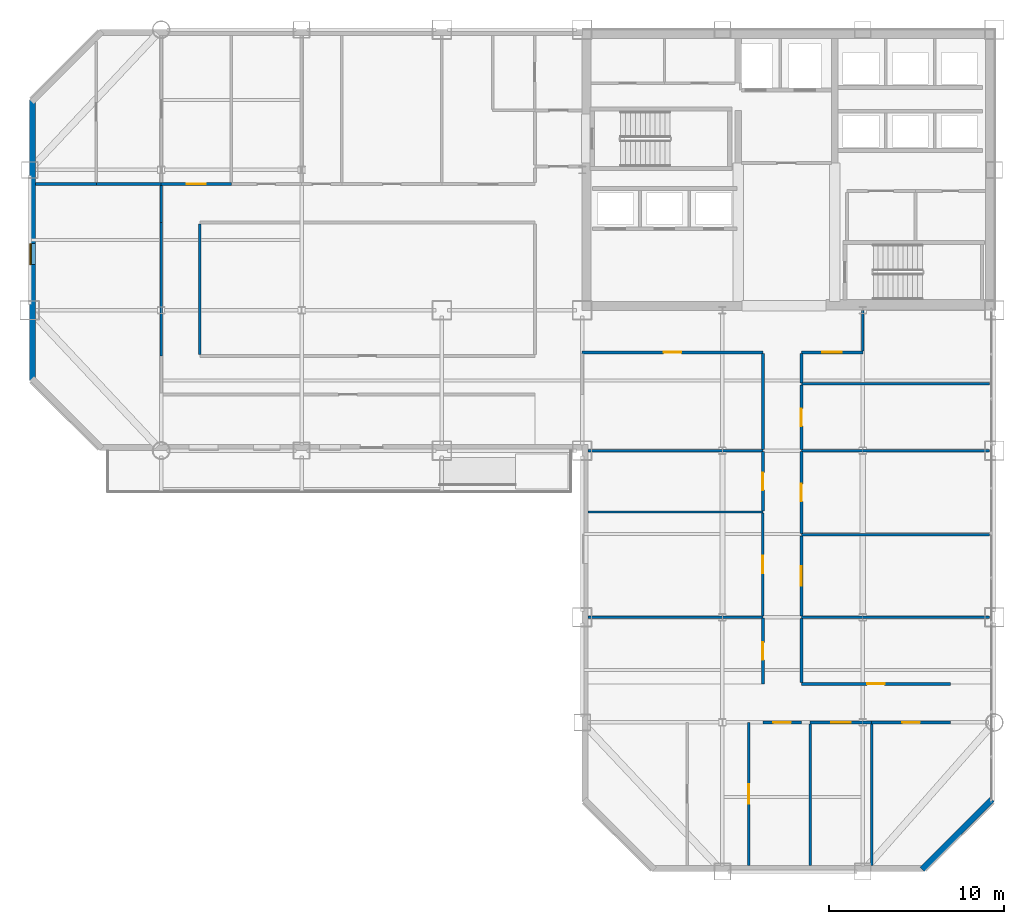
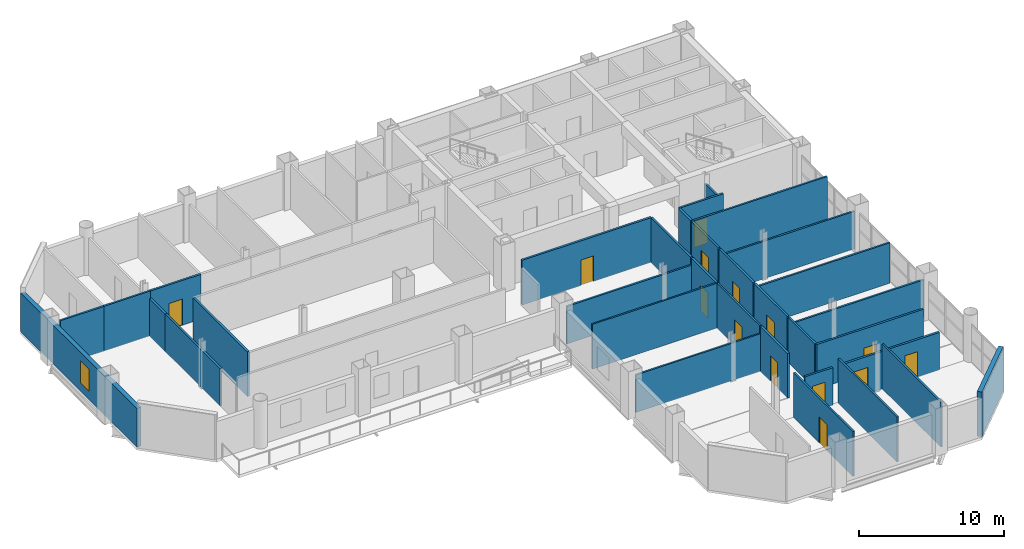
# One storey, part 12 of 16: 34 walls, 14 doors, 1 window, 15 openings.
"""IFC4 building model written with IfcOpenShell, lengths in metres."""

from ifc_helpers import new_model, si_unit, direction, frame, frame_2d, origin, place, context, subcontext, project, spatial, rectangle, extrude, material, layer, layer_set, type_object, element, fill, save


model = new_model("IFC4")

# Units and contexts
model_context = context("Model", 3, precision=1e-05, world=origin(), true_north=direction((0.0, 1.0)))
body_context = subcontext(model_context, "Body", "Model", "MODEL_VIEW")
ifc_project = project(units=[si_unit("LENGTHUNIT", "METRE"), si_unit("AREAUNIT", "SQUARE_METRE"), si_unit("VOLUMEUNIT", "CUBIC_METRE"), si_unit("PLANEANGLEUNIT", "RADIAN"), si_unit("MASSUNIT", "GRAM", prefix="KILO")], contexts=[model_context])

# Site, building, storey
site_placement = place(None, origin())
site = spatial("IfcSite", under=ifc_project, at=site_placement, CompositionType="ELEMENT")
building_placement = place(site_placement, origin())
building = spatial("IfcBuilding", under=site, at=building_placement, Name="Qianrong Seaharbour Tower", CompositionType="ELEMENT")
storey_placement = place(building_placement, frame((0.0, 0.0, 119.0)))
storey = spatial("IfcBuildingStorey", under=building, at=storey_placement, Name="L28", CompositionType="ELEMENT", Elevation=119.0)

# Wall
ifc_material_1 = material(Name="Fire-rated acoustic gypsum board partition")
ifc_layer_1 = layer(ifc_material_1, 0.1650390625)
ifc_layer_set_1 = layer_set([ifc_layer_1], Name="Fire-rated acoustic gypsum board partition")
wall_type_1 = type_object("IfcWallType", Name="WALL-CORR-PART-165", PredefinedType="PARTITIONING", material=ifc_layer_set_1)
wall_1_placement = place(storey_placement, frame((16.5, 41.0, 0.0), z_axis=(0.0, 0.0, 1.0), x_axis=(0.0, 1.0, 0.0)))
element("IfcWall", 1, at=wall_1_placement, inside=storey, type_object=wall_type_1, Name="L28 Interior Partition Wall 018", PredefinedType="PARTITIONING", context=body_context, shape_type="SweptSolid", body=[
    extrude(rectangle(XDim=2.12548828125, YDim=0.1650390625, at=frame_2d((1.062744140625, 0.0))), origin(), (0.0, 0.0, 1.0), 3.156982421875),
])

# Wall, opening, door
wall_2_placement = place(storey_placement, frame((16.5, 43.199951171875, 0.0), z_axis=(0.0, 0.0, 1.0), x_axis=(1.0, 0.0, 0.0)))
wall_2 = element("IfcWall", 2, at=wall_2_placement, inside=storey, type_object=wall_type_1, Name="L28 Interior Partition Wall 020", PredefinedType="PARTITIONING", context=body_context, shape_type="SweptSolid", body=[
    extrude(rectangle(XDim=4.0, YDim=0.1650390625, at=frame_2d((2.0, 0.0))), origin(), (0.0, 0.0, 1.0), 3.764892578125),
])
opening_1_placement = place(wall_2_placement, frame((1.449951171875, 0.0, 0.0)))
opening_1 = element("IfcOpeningElement", 3, at=opening_1_placement, cuts=wall_2, Name="Opening DM-01", PredefinedType="OPENING", context=body_context, shape_type="SweptSolid", body=[
    extrude(rectangle(XDim=1.10009765625, YDim=2.199951171875, at=frame_2d((0.550048828125, 1.10009765625))), frame((0.0, 0.092529296875, 0.0), z_axis=(0.0, -1.0, 0.0), x_axis=(1.0, 0.0, 0.0)), (0.0, 0.0, 1.0), 0.18505859375),
])
ifc_material_2 = material(Name="Acoustic timber and galvanized steel fire door assembly", Category="steel")
door_type_1 = type_object("IfcDoorType", Name="DOOR-MEET-1100x2200", OperationType="NOTDEFINED", PredefinedType="DOOR", material=ifc_material_2)
door_1_placement = place(opening_1_placement, origin())
door_1 = element("IfcDoor", 4, at=door_1_placement, inside=storey, type_object=door_type_1, Name="L28 Meeting Room 3 Door", OperationType="SINGLE_SWING_LEFT", OverallHeight=2.199951171875, OverallWidth=1.10009765625, PredefinedType="DOOR", context=body_context, shape_type="SweptSolid", body=[
    extrude(rectangle(XDim=1.10009765625, YDim=2.199951171875, at=frame_2d((0.550048828125, 1.10009765625))), frame((0.0, 0.02490234375, 0.0), z_axis=(0.0, -1.0, 0.0), x_axis=(1.0, 0.0, 0.0)), (0.0, 0.0, 1.0), 0.050048828125),
])
fill(opening_1, door_1)

# Walls
wall_3_placement = place(storey_placement, frame((16.5, 33.39990234375, 0.0), z_axis=(0.0, 0.0, 1.0), x_axis=(0.0, 1.0, 0.0)))
element("IfcWall", 5, at=wall_3_placement, inside=storey, type_object=wall_type_1, Name="L28 Interior Partition Wall 025", PredefinedType="PARTITIONING", context=body_context, shape_type="SweptSolid", body=[
    extrude(rectangle(XDim=7.60009765625, YDim=0.1650390625, at=frame_2d((3.800048828125, 0.0))), origin(), (0.0, 0.0, 1.0), 3.156982421875),
])
wall_4_placement = place(storey_placement, frame((18.699951171875, 40.925537109375, 0.0), z_axis=(0.0, 0.0, 1.0), x_axis=(0.0, -1.0, 0.0)))
element("IfcWall", 6, at=wall_4_placement, inside=storey, type_object=wall_type_1, Name="L28 Interior Partition Wall 026", PredefinedType="PARTITIONING", context=body_context, shape_type="SweptSolid", body=[
    extrude(rectangle(XDim=7.450927734375, YDim=0.1650390625, at=frame_2d((3.7255859375, 0.0))), origin(), (0.0, 0.0, 1.0), 3.764892578125),
])
wall_5_placement = place(storey_placement, frame((56.5, 36.0, 0.0), z_axis=(0.0, 0.0, 1.0), x_axis=(0.0, -1.0, 0.0)))
element("IfcWall", 7, at=wall_5_placement, inside=storey, type_object=wall_type_1, Name="L28 Interior Partition Wall 030", PredefinedType="PARTITIONING", context=body_context, shape_type="SweptSolid", body=[
    extrude(rectangle(XDim=2.325439453125, YDim=0.1650390625, at=frame_2d((1.16259765625, 0.0))), origin(), (0.0, 0.0, 1.0), 3.156982421875),
])

# Wall, opening, door
wall_6_placement = place(storey_placement, frame((56.5, 33.60009765625, 0.0), z_axis=(0.0, 0.0, 1.0), x_axis=(-1.0, 0.0, 0.0)))
wall_6 = element("IfcWall", 8, at=wall_6_placement, inside=storey, type_object=wall_type_1, Name="L28 Interior Partition Wall 031", PredefinedType="PARTITIONING", context=body_context, shape_type="SweptSolid", body=[
    extrude(rectangle(XDim=3.5, YDim=0.1650390625, at=frame_2d((1.75, 0.0))), origin(), (0.0, 0.0, 1.0), 3.764892578125),
])
opening_2_placement = place(wall_6_placement, frame((1.199951171875, 0.0, 0.0)))
opening_2 = element("IfcOpeningElement", 9, at=opening_2_placement, cuts=wall_6, Name="Opening DM-01", PredefinedType="OPENING", context=body_context, shape_type="SweptSolid", body=[
    extrude(rectangle(XDim=1.10009765625, YDim=2.199951171875, at=frame_2d((0.550048828125, 1.10009765625))), frame((0.0, 0.092529296875, 0.0), z_axis=(0.0, -1.0, 0.0), x_axis=(1.0, 0.0, 0.0)), (0.0, 0.0, 1.0), 0.18505859375),
])
door_2_placement = place(opening_2_placement, origin())
door_2 = element("IfcDoor", 10, at=door_2_placement, inside=storey, type_object=door_type_1, Name="L28 Boardroom 5 Door", OperationType="SINGLE_SWING_RIGHT", OverallHeight=2.199951171875, OverallWidth=1.10009765625, PredefinedType="DOOR", context=body_context, shape_type="SweptSolid", body=[
    extrude(rectangle(XDim=1.10009765625, YDim=2.199951171875, at=frame_2d((0.550048828125, 1.10009765625))), frame((0.0, 0.02490234375, 0.0), z_axis=(0.0, -1.0, 0.0), x_axis=(1.0, 0.0, 0.0)), (0.0, 0.0, 1.0), 0.050048828125),
])
fill(opening_2, door_2)

wall_7_placement = place(storey_placement, frame((50.800048828125, 33.60009765625, 0.0), z_axis=(0.0, 0.0, 1.0), x_axis=(-1.0, 0.0, 0.0)))
wall_7 = element("IfcWall", 11, at=wall_7_placement, inside=storey, type_object=wall_type_1, Name="L28 Interior Partition Wall 032", PredefinedType="PARTITIONING", context=body_context, shape_type="SweptSolid", body=[
    extrude(rectangle(XDim=10.300048828125, YDim=0.1650390625, at=frame_2d((5.14990234375, 0.0))), origin(), (0.0, 0.0, 1.0), 3.764892578125),
])
opening_3_placement = place(wall_7_placement, frame((4.64990234375, 0.0, 0.0)))
opening_3 = element("IfcOpeningElement", 12, at=opening_3_placement, cuts=wall_7, Name="Opening DO-01", PredefinedType="OPENING", context=body_context, shape_type="SweptSolid", body=[
    extrude(rectangle(XDim=1.0, YDim=2.14990234375, at=frame_2d((0.5, 1.074951171875))), frame((0.0, 0.092529296875, 0.0), z_axis=(0.0, -1.0, 0.0), x_axis=(1.0, 0.0, 0.0)), (0.0, 0.0, 1.0), 0.18505859375),
])
door_type_2 = type_object("IfcDoorType", Name="DOOR-OFFICE-1000x2150", OperationType="NOTDEFINED", PredefinedType="DOOR", material=ifc_material_2)
door_3_placement = place(opening_3_placement, origin())
door_3 = element("IfcDoor", 13, at=door_3_placement, inside=storey, type_object=door_type_2, Name="L28 Executive Office 4 Door", OperationType="SINGLE_SWING_RIGHT", OverallHeight=2.14990234375, OverallWidth=1.0, PredefinedType="DOOR", context=body_context, shape_type="SweptSolid", body=[
    extrude(rectangle(XDim=1.0, YDim=2.14990234375, at=frame_2d((0.5, 1.074951171875))), frame((0.0, 0.02490234375, 0.0), z_axis=(0.0, -1.0, 0.0), x_axis=(1.0, 0.0, 0.0)), (0.0, 0.0, 1.0), 0.050048828125),
])
fill(opening_3, door_3)

# Wall
wall_8_placement = place(storey_placement, frame((53.0, 18.435546875, 0.0), z_axis=(0.0, 0.0, 1.0), x_axis=(0.0, -1.0, 0.0)))
element("IfcWall", 14, at=wall_8_placement, inside=storey, type_object=wall_type_1, Name="L28 Interior Partition Wall 033", PredefinedType="PARTITIONING", context=body_context, shape_type="SweptSolid", body=[
    extrude(rectangle(XDim=3.6611328125, YDim=0.1650390625, at=frame_2d((1.83056640625, 0.0))), origin(), (0.0, 0.0, 1.0), 3.764892578125),
])

# Wall, opening, door
wall_9_placement = place(storey_placement, frame((53.0, 23.135498046875, 0.0), z_axis=(0.0, 0.0, 1.0), x_axis=(0.0, -1.0, 0.0)))
wall_9 = element("IfcWall", 15, at=wall_9_placement, inside=storey, type_object=wall_type_1, Name="L28 Interior Partition Wall 034", PredefinedType="PARTITIONING", context=body_context, shape_type="SweptSolid", body=[
    extrude(rectangle(XDim=4.571044921875, YDim=0.1650390625, at=frame_2d((2.28564453125, 0.0))), origin(), (0.0, 0.0, 1.0), 3.764892578125),
])
opening_4_placement = place(wall_9_placement, frame((1.735595703125, 0.0, 0.0)))
opening_4 = element("IfcOpeningElement", 16, at=opening_4_placement, cuts=wall_9, Name="Opening DM-01", PredefinedType="OPENING", context=body_context, shape_type="SweptSolid", body=[
    extrude(rectangle(XDim=1.10009765625, YDim=2.199951171875, at=frame_2d((0.550048828125, 1.10009765625))), frame((0.0, 0.092529296875, 0.0), z_axis=(0.0, -1.0, 0.0), x_axis=(1.0, 0.0, 0.0)), (0.0, 0.0, 1.0), 0.18505859375),
])
door_4_placement = place(opening_4_placement, origin())
door_4 = element("IfcDoor", 17, at=door_4_placement, inside=storey, type_object=door_type_1, Name="L28 Boardroom 2 Door", OperationType="SINGLE_SWING_LEFT", OverallHeight=2.199951171875, OverallWidth=1.10009765625, PredefinedType="DOOR", context=body_context, shape_type="SweptSolid", body=[
    extrude(rectangle(XDim=1.10009765625, YDim=2.199951171875, at=frame_2d((0.550048828125, 1.10009765625))), frame((0.0, 0.02490234375, 0.0), z_axis=(0.0, -1.0, 0.0), x_axis=(1.0, 0.0, 0.0)), (0.0, 0.0, 1.0), 0.050048828125),
])
fill(opening_4, door_4)

wall_10_placement = place(storey_placement, frame((53.0, 27.935546875, 0.0), z_axis=(0.0, 0.0, 1.0), x_axis=(0.0, -1.0, 0.0)))
wall_10 = element("IfcWall", 18, at=wall_10_placement, inside=storey, type_object=wall_type_1, Name="L28 Interior Partition Wall 035", PredefinedType="PARTITIONING", context=body_context, shape_type="SweptSolid", body=[
    extrude(rectangle(XDim=4.671142578125, YDim=0.1650390625, at=frame_2d((2.33544921875, 0.0))), origin(), (0.0, 0.0, 1.0), 3.764892578125),
])
opening_5_placement = place(wall_10_placement, frame((1.83544921875, 0.0, 0.0)))
opening_5 = element("IfcOpeningElement", 19, at=opening_5_placement, cuts=wall_10, Name="Opening DO-01", PredefinedType="OPENING", context=body_context, shape_type="SweptSolid", body=[
    extrude(rectangle(XDim=1.0, YDim=2.14990234375, at=frame_2d((0.5, 1.074951171875))), frame((0.0, 0.092529296875, 0.0), z_axis=(0.0, -1.0, 0.0), x_axis=(1.0, 0.0, 0.0)), (0.0, 0.0, 1.0), 0.18505859375),
])
door_5_placement = place(opening_5_placement, origin())
door_5 = element("IfcDoor", 20, at=door_5_placement, inside=storey, type_object=door_type_2, Name="L28 Focus Room 3 Door", OperationType="SINGLE_SWING_RIGHT", OverallHeight=2.14990234375, OverallWidth=1.0, PredefinedType="DOOR", context=body_context, shape_type="SweptSolid", body=[
    extrude(rectangle(XDim=1.0, YDim=2.14990234375, at=frame_2d((0.5, 1.074951171875))), frame((0.0, 0.02490234375, 0.0), z_axis=(0.0, -1.0, 0.0), x_axis=(1.0, 0.0, 0.0)), (0.0, 0.0, 1.0), 0.050048828125),
])
fill(opening_5, door_5)

wall_11_placement = place(storey_placement, frame((53.0, 31.735595703125, 0.0), z_axis=(0.0, 0.0, 1.0), x_axis=(0.0, -1.0, 0.0)))
wall_11 = element("IfcWall", 21, at=wall_11_placement, inside=storey, type_object=wall_type_1, Name="L28 Interior Partition Wall 036", PredefinedType="PARTITIONING", context=body_context, shape_type="SweptSolid", body=[
    extrude(rectangle(XDim=3.671142578125, YDim=0.1650390625, at=frame_2d((1.83544921875, 0.0))), origin(), (0.0, 0.0, 1.0), 3.764892578125),
])
opening_6_placement = place(wall_11_placement, frame((1.33544921875, 0.0, 0.0)))
opening_6 = element("IfcOpeningElement", 22, at=opening_6_placement, cuts=wall_11, Name="Opening DO-01", PredefinedType="OPENING", context=body_context, shape_type="SweptSolid", body=[
    extrude(rectangle(XDim=1.0, YDim=2.14990234375, at=frame_2d((0.5, 1.074951171875))), frame((0.0, 0.092529296875, 0.0), z_axis=(0.0, -1.0, 0.0), x_axis=(1.0, 0.0, 0.0)), (0.0, 0.0, 1.0), 0.18505859375),
])
door_6_placement = place(opening_6_placement, origin())
door_6 = element("IfcDoor", 23, at=door_6_placement, inside=storey, type_object=door_type_2, Name="L28 Executive Office 4 Door", OperationType="SINGLE_SWING_LEFT", OverallHeight=2.14990234375, OverallWidth=1.0, PredefinedType="DOOR", context=body_context, shape_type="SweptSolid", body=[
    extrude(rectangle(XDim=1.0, YDim=2.14990234375, at=frame_2d((0.5, 1.074951171875))), frame((0.0, 0.02490234375, 0.0), z_axis=(0.0, -1.0, 0.0), x_axis=(1.0, 0.0, 0.0)), (0.0, 0.0, 1.0), 0.050048828125),
])
fill(opening_6, door_6)

# Wall
wall_12_placement = place(storey_placement, frame((53.0, 33.525390625, 0.0), z_axis=(0.0, 0.0, 1.0), x_axis=(0.0, -1.0, 0.0)))
element("IfcWall", 24, at=wall_12_placement, inside=storey, type_object=wall_type_1, Name="L28 Interior Partition Wall 037", PredefinedType="PARTITIONING", context=body_context, shape_type="SweptSolid", body=[
    extrude(rectangle(XDim=1.660888671875, YDim=0.1650390625, at=frame_2d((0.83056640625, 0.0))), origin(), (0.0, 0.0, 1.0), 3.764892578125),
])

# Wall, opening, door
wall_13_placement = place(storey_placement, frame((50.800048828125, 14.699951171875, 0.0), z_axis=(0.0, 0.0, 1.0), x_axis=(0.0, 1.0, 0.0)))
wall_13 = element("IfcWall", 25, at=wall_13_placement, inside=storey, type_object=wall_type_1, Name="L28 Interior Partition Wall 038", PredefinedType="PARTITIONING", context=body_context, shape_type="SweptSolid", body=[
    extrude(rectangle(XDim=3.7431640625, YDim=0.1650390625, at=frame_2d((1.87158203125, 0.0))), origin(), (0.0, 0.0, 1.0), 3.764892578125),
])
opening_7_placement = place(wall_13_placement, frame((1.37158203125, 0.0, 0.0)))
opening_7 = element("IfcOpeningElement", 26, at=opening_7_placement, cuts=wall_13, Name="Opening DO-01", PredefinedType="OPENING", context=body_context, shape_type="SweptSolid", body=[
    extrude(rectangle(XDim=1.0, YDim=2.14990234375, at=frame_2d((0.5, 1.074951171875))), frame((0.0, 0.092529296875, 0.0), z_axis=(0.0, -1.0, 0.0), x_axis=(1.0, 0.0, 0.0)), (0.0, 0.0, 1.0), 0.18505859375),
])
door_7_placement = place(opening_7_placement, origin())
door_7 = element("IfcDoor", 27, at=door_7_placement, inside=storey, type_object=door_type_2, Name="L28 Executive Office 1 Door", OperationType="SINGLE_SWING_LEFT", OverallHeight=2.14990234375, OverallWidth=1.0, PredefinedType="DOOR", context=body_context, shape_type="SweptSolid", body=[
    extrude(rectangle(XDim=1.0, YDim=2.14990234375, at=frame_2d((0.5, 1.074951171875))), frame((0.0, 0.02490234375, 0.0), z_axis=(0.0, -1.0, 0.0), x_axis=(1.0, 0.0, 0.0)), (0.0, 0.0, 1.0), 0.050048828125),
])
fill(opening_7, door_7)

wall_14_placement = place(storey_placement, frame((50.800048828125, 24.556884765625, 0.0), z_axis=(0.0, 0.0, 1.0), x_axis=(0.0, 1.0, 0.0)))
wall_14 = element("IfcWall", 28, at=wall_14_placement, inside=storey, type_object=wall_type_1, Name="L28 Interior Partition Wall 040", PredefinedType="PARTITIONING", context=body_context, shape_type="SweptSolid", body=[
    extrude(rectangle(XDim=3.378662109375, YDim=0.1650390625, at=frame_2d((1.689453125, 0.0))), origin(), (0.0, 0.0, 1.0), 3.764892578125),
])
opening_8_placement = place(wall_14_placement, frame((1.189208984375, 0.0, 0.0)))
opening_8 = element("IfcOpeningElement", 29, at=opening_8_placement, cuts=wall_14, Name="Opening DO-01", PredefinedType="OPENING", context=body_context, shape_type="SweptSolid", body=[
    extrude(rectangle(XDim=1.0, YDim=2.14990234375, at=frame_2d((0.5, 1.074951171875))), frame((0.0, 0.092529296875, 0.0), z_axis=(0.0, -1.0, 0.0), x_axis=(1.0, 0.0, 0.0)), (0.0, 0.0, 1.0), 0.18505859375),
])
door_8_placement = place(opening_8_placement, origin())
door_8 = element("IfcDoor", 30, at=door_8_placement, inside=storey, type_object=door_type_2, Name="L28 Focus Room 3 Door", OperationType="SINGLE_SWING_LEFT", OverallHeight=2.14990234375, OverallWidth=1.0, PredefinedType="DOOR", context=body_context, shape_type="SweptSolid", body=[
    extrude(rectangle(XDim=1.0, YDim=2.14990234375, at=frame_2d((0.5, 1.074951171875))), frame((0.0, 0.02490234375, 0.0), z_axis=(0.0, -1.0, 0.0), x_axis=(1.0, 0.0, 0.0)), (0.0, 0.0, 1.0), 0.050048828125),
])
fill(opening_8, door_8)

# Wall
wall_15_placement = place(storey_placement, frame((50.800048828125, 28.064453125, 0.0), z_axis=(0.0, 0.0, 1.0), x_axis=(0.0, 1.0, 0.0)))
element("IfcWall", 31, at=wall_15_placement, inside=storey, type_object=wall_type_1, Name="L28 Interior Partition Wall 041", PredefinedType="PARTITIONING", context=body_context, shape_type="SweptSolid", body=[
    extrude(rectangle(XDim=5.4609375, YDim=0.1650390625, at=frame_2d((2.73046875, 0.0))), origin(), (0.0, 0.0, 1.0), 3.764892578125),
])

# Wall, opening, door
wall_16_placement = place(storey_placement, frame((53.0, 12.5, 0.0), z_axis=(0.0, 0.0, 1.0), x_axis=(-1.0, 0.0, 0.0)))
wall_16 = element("IfcWall", 32, at=wall_16_placement, inside=storey, type_object=wall_type_1, Name="L28 Interior Partition Wall 042", PredefinedType="PARTITIONING", context=body_context, shape_type="SweptSolid", body=[
    extrude(rectangle(XDim=2.199951171875, YDim=0.1650390625, at=frame_2d((1.10009765625, 0.0))), origin(), (0.0, 0.0, 1.0), 3.156982421875),
])
opening_9_placement = place(wall_16_placement, frame((0.60009765625, 0.0, 0.0)))
opening_9 = element("IfcOpeningElement", 33, at=opening_9_placement, cuts=wall_16, Name="Opening DO-01", PredefinedType="OPENING", context=body_context, shape_type="SweptSolid", body=[
    extrude(rectangle(XDim=1.0, YDim=2.14990234375, at=frame_2d((0.5, 1.074951171875))), frame((0.0, 0.092529296875, 0.0), z_axis=(0.0, -1.0, 0.0), x_axis=(1.0, 0.0, 0.0)), (0.0, 0.0, 1.0), 0.18505859375),
])
door_9_placement = place(opening_9_placement, origin())
door_9 = element("IfcDoor", 34, at=door_9_placement, inside=storey, type_object=door_type_2, Name="L28 Executive Office 3 Door", OperationType="SINGLE_SWING_LEFT", OverallHeight=2.14990234375, OverallWidth=1.0, PredefinedType="DOOR", context=body_context, shape_type="SweptSolid", body=[
    extrude(rectangle(XDim=1.0, YDim=2.14990234375, at=frame_2d((0.5, 1.074951171875))), frame((0.0, 0.02490234375, 0.0), z_axis=(0.0, -1.0, 0.0), x_axis=(1.0, 0.0, 0.0)), (0.0, 0.0, 1.0), 0.050048828125),
])
fill(opening_9, door_9)

wall_17_placement = place(storey_placement, frame((53.0, 14.699951171875, 0.0), z_axis=(0.0, 0.0, 1.0), x_axis=(1.0, 0.0, 0.0)))
wall_17 = element("IfcWall", 35, at=wall_17_placement, inside=storey, type_object=wall_type_1, Name="L28 Interior Partition Wall 043", PredefinedType="PARTITIONING", context=body_context, shape_type="SweptSolid", body=[
    extrude(rectangle(XDim=8.5, YDim=0.1650390625, at=frame_2d((4.25, 0.0))), origin(), (0.0, 0.0, 1.0), 3.764892578125),
])
opening_10_placement = place(wall_17_placement, frame((3.75, 0.0, 0.0)))
opening_10 = element("IfcOpeningElement", 36, at=opening_10_placement, cuts=wall_17, Name="Opening DO-01", PredefinedType="OPENING", context=body_context, shape_type="SweptSolid", body=[
    extrude(rectangle(XDim=1.0, YDim=2.14990234375, at=frame_2d((0.5, 1.074951171875))), frame((0.0, 0.092529296875, 0.0), z_axis=(0.0, -1.0, 0.0), x_axis=(1.0, 0.0, 0.0)), (0.0, 0.0, 1.0), 0.18505859375),
])
door_10_placement = place(opening_10_placement, origin())
door_10 = element("IfcDoor", 37, at=door_10_placement, inside=storey, type_object=door_type_2, Name="L28 Executive Office 1 Door", OperationType="SINGLE_SWING_RIGHT", OverallHeight=2.14990234375, OverallWidth=1.0, PredefinedType="DOOR", context=body_context, shape_type="SweptSolid", body=[
    extrude(rectangle(XDim=1.0, YDim=2.14990234375, at=frame_2d((0.5, 1.074951171875))), frame((0.0, 0.02490234375, 0.0), z_axis=(0.0, -1.0, 0.0), x_axis=(1.0, 0.0, 0.0)), (0.0, 0.0, 1.0), 0.050048828125),
])
fill(opening_10, door_10)

wall_18_placement = place(storey_placement, frame((57.0, 12.5, 0.0), z_axis=(0.0, 0.0, 1.0), x_axis=(-1.0, 0.0, 0.0)))
wall_18 = element("IfcWall", 38, at=wall_18_placement, inside=storey, type_object=wall_type_1, Name="L28 Interior Partition Wall 044", PredefinedType="PARTITIONING", context=body_context, shape_type="SweptSolid", body=[
    extrude(rectangle(XDim=3.5, YDim=0.1650390625, at=frame_2d((1.75, 0.0))), origin(), (0.0, 0.0, 1.0), 3.156982421875),
])
opening_11_placement = place(wall_18_placement, frame((1.199951171875, 0.0, 0.0)))
opening_11 = element("IfcOpeningElement", 39, at=opening_11_placement, cuts=wall_18, Name="Opening DM-01", PredefinedType="OPENING", context=body_context, shape_type="SweptSolid", body=[
    extrude(rectangle(XDim=1.10009765625, YDim=2.199951171875, at=frame_2d((0.550048828125, 1.10009765625))), frame((0.0, 0.092529296875, 0.0), z_axis=(0.0, -1.0, 0.0), x_axis=(1.0, 0.0, 0.0)), (0.0, 0.0, 1.0), 0.18505859375),
])
door_11_placement = place(opening_11_placement, origin())
door_11 = element("IfcDoor", 40, at=door_11_placement, inside=storey, type_object=door_type_1, Name="L28 Meeting Room 4 Door", OperationType="SINGLE_SWING_RIGHT", OverallHeight=2.199951171875, OverallWidth=1.10009765625, PredefinedType="DOOR", context=body_context, shape_type="SweptSolid", body=[
    extrude(rectangle(XDim=1.10009765625, YDim=2.199951171875, at=frame_2d((0.550048828125, 1.10009765625))), frame((0.0, 0.02490234375, 0.0), z_axis=(0.0, -1.0, 0.0), x_axis=(1.0, 0.0, 0.0)), (0.0, 0.0, 1.0), 0.050048828125),
])
fill(opening_11, door_11)

wall_19_placement = place(storey_placement, frame((61.5, 12.5, 0.0), z_axis=(0.0, 0.0, 1.0), x_axis=(-1.0, 0.0, 0.0)))
wall_19 = element("IfcWall", 41, at=wall_19_placement, inside=storey, type_object=wall_type_1, Name="L28 Interior Partition Wall 045", PredefinedType="PARTITIONING", context=body_context, shape_type="SweptSolid", body=[
    extrude(rectangle(XDim=4.5, YDim=0.1650390625, at=frame_2d((2.25, 0.0))), origin(), (0.0, 0.0, 1.0), 3.156982421875),
])
opening_12_placement = place(wall_19_placement, frame((1.75, 0.0, 0.0)))
opening_12 = element("IfcOpeningElement", 42, at=opening_12_placement, cuts=wall_19, Name="Opening DO-01", PredefinedType="OPENING", context=body_context, shape_type="SweptSolid", body=[
    extrude(rectangle(XDim=1.0, YDim=2.14990234375, at=frame_2d((0.5, 1.074951171875))), frame((0.0, 0.092529296875, 0.0), z_axis=(0.0, -1.0, 0.0), x_axis=(1.0, 0.0, 0.0)), (0.0, 0.0, 1.0), 0.18505859375),
])
door_12_placement = place(opening_12_placement, origin())
door_12 = element("IfcDoor", 43, at=door_12_placement, inside=storey, type_object=door_type_2, Name="L28 Executive Office 5 Door", OperationType="SINGLE_SWING_LEFT", OverallHeight=2.14990234375, OverallWidth=1.0, PredefinedType="DOOR", context=body_context, shape_type="SweptSolid", body=[
    extrude(rectangle(XDim=1.0, YDim=2.14990234375, at=frame_2d((0.5, 1.074951171875))), frame((0.0, 0.02490234375, 0.0), z_axis=(0.0, -1.0, 0.0), x_axis=(1.0, 0.0, 0.0)), (0.0, 0.0, 1.0), 0.050048828125),
])
fill(opening_12, door_12)

# Wall, opening, window
ifc_material_3 = material(Name="Unitised buff brick on Precast concrete C45/55", Category="masonry")
ifc_layer_2 = layer(ifc_material_3, 0.340087890625)
ifc_layer_set_2 = layer_set([ifc_layer_2], Name="Unitised buff brick on Precast concrete C45/55")
wall_type_2 = type_object("IfcWallType", Name="WALL-EXT-BRICK-BUFF-340", PredefinedType="SOLIDWALL", material=ifc_layer_set_2)
wall_20_placement = place(storey_placement, frame((9.169921875, 32.0, 0.0), z_axis=(0.0, 0.0, 1.0), x_axis=(0.0, 1.0, 0.0)))
wall_20 = element("IfcWall", 44, at=wall_20_placement, inside=storey, type_object=wall_type_2, Name="L28 Exterior Masonry Facade Wall WEST_TIP", PredefinedType="SOLIDWALL", context=body_context, shape_type="SweptSolid", body=[
    extrude(rectangle(XDim=16.0, YDim=0.340087890625, at=frame_2d((8.0, 0.0))), origin(), (0.0, 0.0, 1.0), 3.264892578125),
])
opening_13_placement = place(wall_20_placement, frame((6.60009765625, 0.0, 0.699951171875)))
opening_13 = element("IfcOpeningElement", 45, at=opening_13_placement, cuts=wall_20, Name="Opening WN-01", PredefinedType="OPENING", context=body_context, shape_type="SweptSolid", body=[
    extrude(rectangle(XDim=1.199951171875, YDim=1.85009765625, at=frame_2d((0.60009765625, 0.925048828125))), frame((0.0, 0.18017578125, 0.0), z_axis=(0.0, -1.0, 0.0), x_axis=(1.0, 0.0, 0.0)), (0.0, 0.0, 1.0), 0.360107421875),
])
ifc_material_4 = material(Name="Insulated low-e double glazing in thermally broken aluminium 6063-T6 frame", Category="aluminium")
window_type = type_object("IfcWindowType", Name="WIN-PUNCH-1200x1850", PartitioningType="DOUBLE_PANEL_VERTICAL", PredefinedType="WINDOW", material=ifc_material_4)
window_placement = place(opening_13_placement, origin())
window = element("IfcWindow", 46, at=window_placement, inside=storey, type_object=window_type, Name="L28 Deep-Set Punched Window 03.02", OverallHeight=1.85009765625, OverallWidth=1.199951171875, PartitioningType="DOUBLE_PANEL_VERTICAL", PredefinedType="WINDOW", context=body_context, shape_type="SweptSolid", body=[
    extrude(rectangle(XDim=1.199951171875, YDim=1.85009765625, at=frame_2d((0.60009765625, 0.925048828125))), frame((0.0, 0.150146484375, 0.0), z_axis=(0.0, -1.0, 0.0), x_axis=(1.0, 0.0, 0.0)), (0.0, 0.0, 1.0), 0.06005859375),
])
fill(opening_13, window)

# Walls
wall_21_placement = place(storey_placement, frame((63.8798828125, 8.1201171875, 0.0), z_axis=(0.0, 0.0, 1.0), x_axis=(-0.707106781187, -0.707106781187, 0.0)))
element("IfcWall", 47, at=wall_21_placement, inside=storey, type_object=wall_type_2, Name="L28 Exterior Masonry Facade Wall E07", PredefinedType="SOLIDWALL", context=body_context, shape_type="SweptSolid", body=[
    extrude(rectangle(XDim=5.65673828125, YDim=0.340087890625, at=frame_2d((2.828369140625, 0.0))), origin(), (0.0, 0.0, 1.0), 3.764892578125),
])
ifc_material_5 = material(Name="Acoustic gypsum board stud partition")
ifc_layer_3 = layer(ifc_material_5, 0.14501953125)
ifc_layer_set_3 = layer_set([ifc_layer_3], Name="Acoustic gypsum board stud partition")
wall_type_3 = type_object("IfcWallType", Name="WALL-OFFICE-PART-145", PredefinedType="PARTITIONING", material=ifc_layer_set_3)
wall_22_placement = place(storey_placement, frame((9.33203125, 43.199951171875, 0.0), z_axis=(0.0, 0.0, 1.0), x_axis=(1.0, 0.0, 0.0)))
element("IfcWall", 48, at=wall_22_placement, inside=storey, type_object=wall_type_3, Name="L28 Interior Partition Wall 046", PredefinedType="PARTITIONING", context=body_context, shape_type="SweptSolid", body=[
    extrude(rectangle(XDim=3.468017578125, YDim=0.14501953125, at=frame_2d((1.73388671875, 0.0))), origin(), (0.0, 0.0, 1.0), 3.764892578125),
])
wall_23_placement = place(storey_placement, frame((12.800048828125, 43.199951171875, 0.0), z_axis=(0.0, 0.0, 1.0), x_axis=(1.0, 0.0, 0.0)))
element("IfcWall", 49, at=wall_23_placement, inside=storey, type_object=wall_type_3, Name="L28 Interior Partition Wall 047", PredefinedType="PARTITIONING", context=body_context, shape_type="SweptSolid", body=[
    extrude(rectangle(XDim=3.699951171875, YDim=0.14501953125, at=frame_2d((1.85009765625, 0.0))), origin(), (0.0, 0.0, 1.0), 3.764892578125),
])
wall_24_placement = place(storey_placement, frame((53.0, 18.5, 0.0), z_axis=(0.0, 0.0, 1.0), x_axis=(1.0, 0.0, 0.0)))
element("IfcWall", 50, at=wall_24_placement, inside=storey, type_object=wall_type_3, Name="L28 Interior Partition Wall 054", PredefinedType="PARTITIONING", context=body_context, shape_type="SweptSolid", body=[
    extrude(rectangle(XDim=10.72802734375, YDim=0.14501953125, at=frame_2d((5.364013671875, 0.0))), origin(), (0.0, 0.0, 1.0), 3.156982421875),
])
wall_25_placement = place(storey_placement, frame((53.0, 23.199951171875, 0.0), z_axis=(0.0, 0.0, 1.0), x_axis=(1.0, 0.0, 0.0)))
element("IfcWall", 51, at=wall_25_placement, inside=storey, type_object=wall_type_3, Name="L28 Interior Partition Wall 055", PredefinedType="PARTITIONING", context=body_context, shape_type="SweptSolid", body=[
    extrude(rectangle(XDim=10.72802734375, YDim=0.14501953125, at=frame_2d((5.364013671875, 0.0))), origin(), (0.0, 0.0, 1.0), 3.406982421875),
])
wall_26_placement = place(storey_placement, frame((53.0, 28.0, 0.0), z_axis=(0.0, 0.0, 1.0), x_axis=(1.0, 0.0, 0.0)))
element("IfcWall", 52, at=wall_26_placement, inside=storey, type_object=wall_type_3, Name="L28 Interior Partition Wall 056", PredefinedType="PARTITIONING", context=body_context, shape_type="SweptSolid", body=[
    extrude(rectangle(XDim=10.72802734375, YDim=0.14501953125, at=frame_2d((5.364013671875, 0.0))), origin(), (0.0, 0.0, 1.0), 3.156982421875),
])
wall_27_placement = place(storey_placement, frame((53.0, 31.800048828125, 0.0), z_axis=(0.0, 0.0, 1.0), x_axis=(1.0, 0.0, 0.0)))
element("IfcWall", 53, at=wall_27_placement, inside=storey, type_object=wall_type_3, Name="L28 Interior Partition Wall 057", PredefinedType="PARTITIONING", context=body_context, shape_type="SweptSolid", body=[
    extrude(rectangle(XDim=10.72802734375, YDim=0.14501953125, at=frame_2d((5.364013671875, 0.0))), origin(), (0.0, 0.0, 1.0), 3.764892578125),
])
wall_28_placement = place(storey_placement, frame((40.83203125, 28.0, 0.0), z_axis=(0.0, 0.0, 1.0), x_axis=(1.0, 0.0, 0.0)))
element("IfcWall", 54, at=wall_28_placement, inside=storey, type_object=wall_type_3, Name="L28 Interior Partition Wall 060", PredefinedType="PARTITIONING", context=body_context, shape_type="SweptSolid", body=[
    extrude(rectangle(XDim=9.968017578125, YDim=0.14501953125, at=frame_2d((4.98388671875, 0.0))), origin(), (0.0, 0.0, 1.0), 3.156982421875),
])

# Wall, opening, door
wall_29_placement = place(storey_placement, frame((50.0, 12.5, 0.0), z_axis=(0.0, 0.0, 1.0), x_axis=(0.0, -1.0, 0.0)))
wall_29 = element("IfcWall", 55, at=wall_29_placement, inside=storey, type_object=wall_type_3, Name="L28 Interior Partition Wall 062", PredefinedType="PARTITIONING", context=body_context, shape_type="SweptSolid", body=[
    extrude(rectangle(XDim=8.16796875, YDim=0.14501953125, at=frame_2d((4.083984375, 0.0))), origin(), (0.0, 0.0, 1.0), 3.764892578125),
])
opening_14_placement = place(wall_29_placement, frame((3.533935546875, 0.0, 0.0)))
opening_14 = element("IfcOpeningElement", 56, at=opening_14_placement, cuts=wall_29, Name="Opening DM-01", PredefinedType="OPENING", context=body_context, shape_type="SweptSolid", body=[
    extrude(rectangle(XDim=1.10009765625, YDim=2.199951171875, at=frame_2d((0.550048828125, 1.10009765625))), frame((0.0, 0.08251953125, 0.0), z_axis=(0.0, -1.0, 0.0), x_axis=(1.0, 0.0, 0.0)), (0.0, 0.0, 1.0), 0.1650390625),
])
door_13_placement = place(opening_14_placement, origin())
door_13 = element("IfcDoor", 57, at=door_13_placement, inside=storey, type_object=door_type_1, Name="L28 Meeting Room 2 Door", OperationType="SINGLE_SWING_RIGHT", OverallHeight=2.199951171875, OverallWidth=1.10009765625, PredefinedType="DOOR", context=body_context, shape_type="SweptSolid", body=[
    extrude(rectangle(XDim=1.10009765625, YDim=2.199951171875, at=frame_2d((0.550048828125, 1.10009765625))), frame((0.0, 0.02490234375, 0.0), z_axis=(0.0, -1.0, 0.0), x_axis=(1.0, 0.0, 0.0)), (0.0, 0.0, 1.0), 0.050048828125),
])
fill(opening_14, door_13)

# Walls
for number, where, z_axis, x_axis, name in (
    (58, (53.5, 12.425537109375, 0.0), (0.0, 0.0, 1.0), (0.0, -1.0, 0.0), "L28 Interior Partition Wall 063"),
    (59, (57.0, 12.425537109375, 0.0), (0.0, 0.0, 1.0), (0.0, -1.0, 0.0), "L28 Interior Partition Wall 064"),
):
    element("IfcWall", number, at=place(storey_placement, frame(where, z_axis=z_axis, x_axis=x_axis)), inside=storey, type_object=wall_type_3, Name=name, PredefinedType="PARTITIONING", context=body_context, shape_type="SweptSolid", body=[
        extrude(rectangle(XDim=8.093505859375, YDim=0.14501953125, at=frame_2d((4.046875, 0.0))), origin(), (0.0, 0.0, 1.0), 3.764892578125),
    ])

# Wall, opening, door
ifc_material_6 = material(Name="Water-resistant cement board sanitary partition")
ifc_layer_4 = layer(ifc_material_6, 0.1298828125)
ifc_layer_set_4 = layer_set([ifc_layer_4], Name="Water-resistant cement board sanitary partition")
wall_type_4 = type_object("IfcWallType", Name="WALL-WET-PART-130", PredefinedType="PARTITIONING", material=ifc_layer_set_4)
wall_30_placement = place(storey_placement, frame((50.800048828125, 18.556884765625, 0.0), z_axis=(0.0, 0.0, 1.0), x_axis=(0.0, 1.0, 0.0)))
wall_30 = element("IfcWall", 60, at=wall_30_placement, inside=storey, type_object=wall_type_4, Name="L28 Interior Partition Wall 039", PredefinedType="PARTITIONING", context=body_context, shape_type="SweptSolid", body=[
    extrude(rectangle(XDim=5.88623046875, YDim=0.1298828125, at=frame_2d((2.943115234375, 0.0))), origin(), (0.0, 0.0, 1.0), 3.764892578125),
])
opening_15_placement = place(wall_30_placement, frame((2.443115234375, 0.0, 0.0)))
opening_15 = element("IfcOpeningElement", 61, at=opening_15_placement, cuts=wall_30, Name="Opening DO-01", PredefinedType="OPENING", context=body_context, shape_type="SweptSolid", body=[
    extrude(rectangle(XDim=1.0, YDim=2.14990234375, at=frame_2d((0.5, 1.074951171875))), frame((0.0, 0.074951171875, 0.0), z_axis=(0.0, -1.0, 0.0), x_axis=(1.0, 0.0, 0.0)), (0.0, 0.0, 1.0), 0.14990234375),
])
door_14_placement = place(opening_15_placement, origin())
door_14 = element("IfcDoor", 62, at=door_14_placement, inside=storey, type_object=door_type_2, Name="L28 Wet Pantry 2 Door", OperationType="SINGLE_SWING_RIGHT", OverallHeight=2.14990234375, OverallWidth=1.0, PredefinedType="DOOR", context=body_context, shape_type="SweptSolid", body=[
    extrude(rectangle(XDim=1.0, YDim=2.14990234375, at=frame_2d((0.5, 1.074951171875))), frame((0.0, 0.02490234375, 0.0), z_axis=(0.0, -1.0, 0.0), x_axis=(1.0, 0.0, 0.0)), (0.0, 0.0, 1.0), 0.050048828125),
])
fill(opening_15, door_14)

# Walls
wall_31_placement = place(storey_placement, frame((40.83203125, 18.5, 0.0), z_axis=(0.0, 0.0, 1.0), x_axis=(1.0, 0.0, 0.0)))
element("IfcWall", 63, at=wall_31_placement, inside=storey, type_object=wall_type_4, Name="L28 Interior Partition Wall 058", PredefinedType="PARTITIONING", context=body_context, shape_type="SweptSolid", body=[
    extrude(rectangle(XDim=9.968017578125, YDim=0.1298828125, at=frame_2d((4.98388671875, 0.0))), origin(), (0.0, 0.0, 1.0), 3.156982421875),
])
wall_32_placement = place(storey_placement, frame((40.83203125, 24.5, 0.0), z_axis=(0.0, 0.0, 1.0), x_axis=(1.0, 0.0, 0.0)))
element("IfcWall", 64, at=wall_32_placement, inside=storey, type_object=wall_type_4, Name="L28 Interior Partition Wall 059", PredefinedType="PARTITIONING", context=body_context, shape_type="SweptSolid", body=[
    extrude(rectangle(XDim=9.968017578125, YDim=0.1298828125, at=frame_2d((4.98388671875, 0.0))), origin(), (0.0, 0.0, 1.0), 3.764892578125),
])

save(model, "model.ifc")
